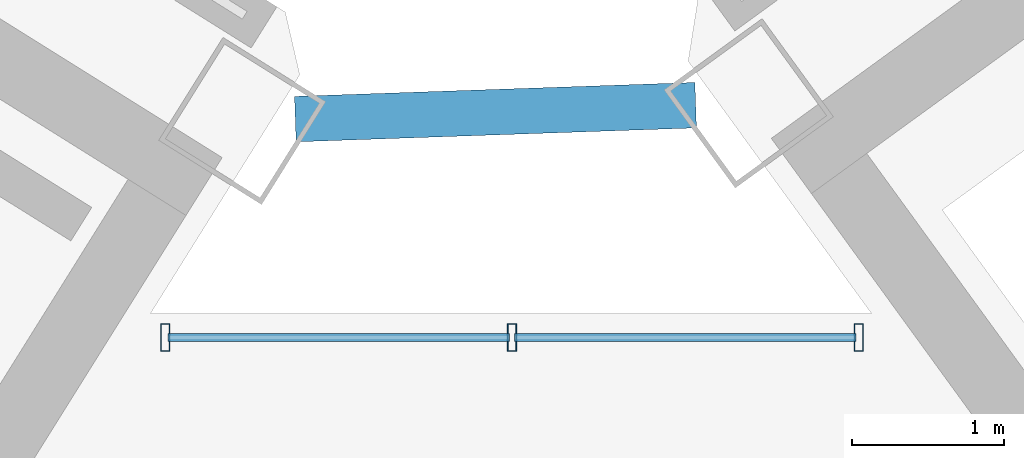
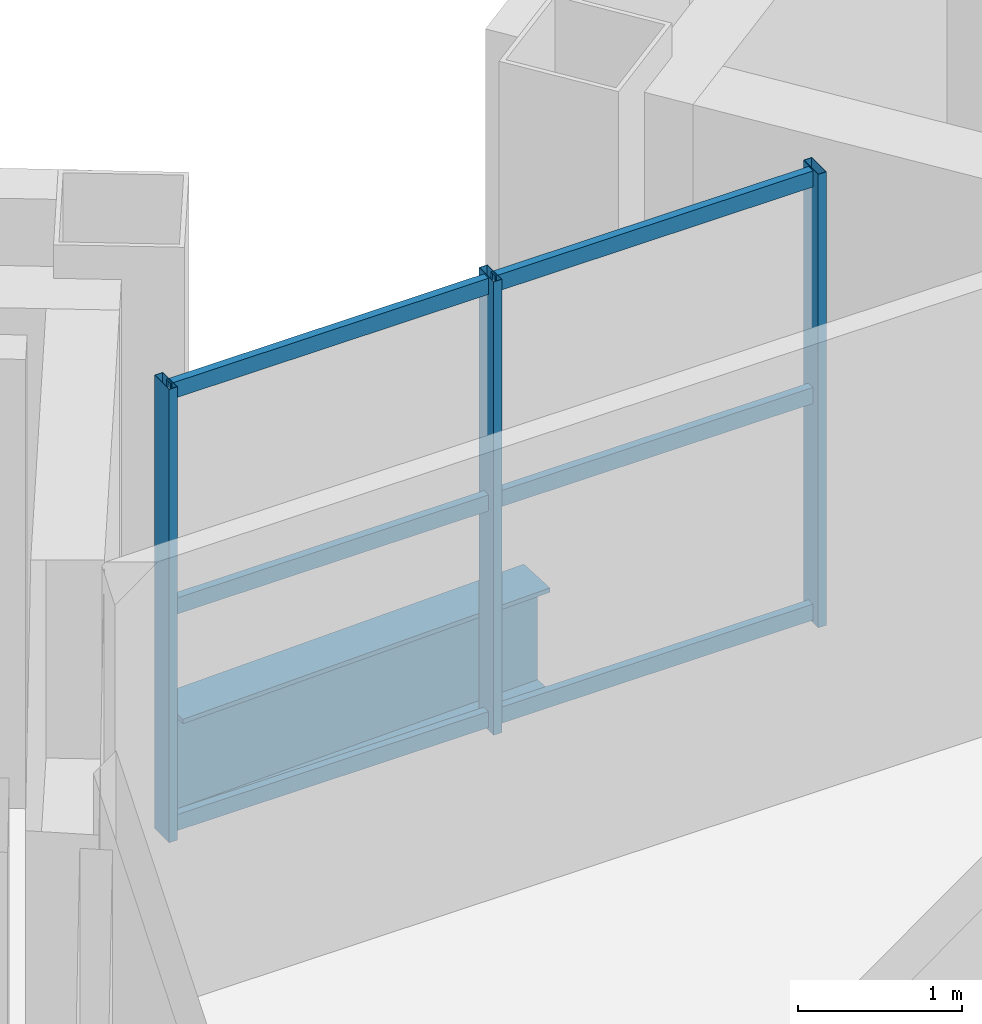
# One storey, part 12 of 29: 9 members, 1 beam, 1 element without a shape of its own.
"""IFC4 building model written with IfcOpenShell, lengths in metres."""

import ifcopenshell
import ifcopenshell.guid

model = None  # the IFC model being written
_history = None  # IfcOwnerHistory: only IFC2X3 demands one
_inside = {}  # id of a spatial element -> (the spatial element, [elements in it])
_under = {}  # id of a project, library or spatial element -> (it, [spatial elements below it])
_declared = {}  # id of a project -> (the project, [libraries it declares])
_typed = {}  # id of a type object -> (the type object, [elements of that type])
_made_of = {}  # id of a material, layer set ... -> (it, [elements and type objects made of it])


def new_model(schema):
    """Start an empty IFC model of exactly this schema.

    Asked for "IFC4X3", IfcOpenShell would pick the latest addendum, in which some entities
    have other attributes; the version numbers below select the first issue.
    IFC2X3 requires an IfcOwnerHistory on every rooted entity: one is made here for all.
    """
    global model, _history
    if schema == "IFC4X3":
        model = ifcopenshell.file(schema_version=(4, 3, 0, 0))
    else:
        model = ifcopenshell.file(schema=schema)
    _inside.clear()
    _under.clear()
    _declared.clear()
    _typed.clear()
    _made_of.clear()
    _history = None
    if model.schema == "IFC2X3":
        org = make("IfcOrganization", Name="unknown")
        user = make(
            "IfcPersonAndOrganization",
            ThePerson=make("IfcPerson", FamilyName="unknown"),
            TheOrganization=org,
        )
        app = make(
            "IfcApplication",
            ApplicationDeveloper=org,
            Version="unknown",
            ApplicationFullName="unknown",
            ApplicationIdentifier="unknown",
        )
        _history = make(
            "IfcOwnerHistory",
            OwningUser=user,
            OwningApplication=app,
            ChangeAction="ADDED",
            CreationDate=0,
        )
    return model


def make(cls, **values):
    """One entity of the class cls with the attributes given. An attribute that is None is left unset."""
    return model.create_entity(
        cls, **{name: value for name, value in values.items() if value is not None}
    )


def rooted(cls, **values):
    """An entity with a GlobalId (a new one), such as an element, a storey or a relation."""
    return make(cls, GlobalId=ifcopenshell.guid.new(), OwnerHistory=_history, **values)


def si_unit(unit_type, name, prefix=None):
    """IfcSIUnit, for example si_unit("LENGTHUNIT", "METRE", prefix="MILLI")."""
    return make("IfcSIUnit", UnitType=unit_type, Prefix=prefix, Name=name)


def assignment(units):
    """IfcUnitAssignment: the units of a project."""
    return None if units is None else make("IfcUnitAssignment", Units=units)


def point(xyz):
    """IfcCartesianPoint."""
    return None if xyz is None else make("IfcCartesianPoint", Coordinates=xyz)


def direction(xyz):
    """IfcDirection."""
    return None if xyz is None else make("IfcDirection", DirectionRatios=xyz)


def frame(location, z_axis=None, x_axis=None):
    """IfcAxis2Placement3D, a coordinate frame: its origin and axes. An axis left out is left unset."""
    return make(
        "IfcAxis2Placement3D",
        Location=point(location),
        Axis=direction(z_axis),
        RefDirection=direction(x_axis),
    )


def frame_2d(location, x_axis=None):
    """IfcAxis2Placement2D, a coordinate frame in the plane: its origin and x axis."""
    return make(
        "IfcAxis2Placement2D", Location=point(location), RefDirection=direction(x_axis)
    )


def origin():
    """The frame at (0, 0, 0) with its axes left unset."""
    return frame((0.0, 0.0, 0.0))


def origin_2d():
    """The frame at (0, 0) in the plane with its x axis left unset."""
    return frame_2d((0.0, 0.0))


def place(relative_to, where):
    """IfcLocalPlacement: puts the frame where relative to a parent placement (None: the world)."""
    return make(
        "IfcLocalPlacement", PlacementRelTo=relative_to, RelativePlacement=where
    )


def context(
    kind, dimensions, precision=None, world=None, true_north=None, identifier=None
):
    """IfcGeometricRepresentationContext, for example the 3D "Model" context."""
    return make(
        "IfcGeometricRepresentationContext",
        ContextIdentifier=identifier,
        ContextType=kind,
        CoordinateSpaceDimension=dimensions,
        Precision=precision,
        WorldCoordinateSystem=world,
        TrueNorth=true_north,
    )


def subcontext(parent, identifier, kind, view, scale=None):
    """IfcGeometricRepresentationSubContext, for example "Body" below "Model"."""
    return make(
        "IfcGeometricRepresentationSubContext",
        ContextIdentifier=identifier,
        ContextType=kind,
        ParentContext=parent,
        TargetScale=scale,
        TargetView=view,
    )


def project(units=None, contexts=None):
    """IfcProject with its units and contexts."""
    return rooted(
        "IfcProject",
        Name="project",
        RepresentationContexts=contexts,
        UnitsInContext=assignment(units),
    )


def spatial(cls, under=None, at=None, **own):
    """A site, building, storey or space (cls), placed at a placement, below another one or the project."""
    s = rooted(cls, ObjectPlacement=at, **own)
    if under is not None:
        _under.setdefault(under.id(), (under, []))[1].append(s)
    return s


def profile(cls, at=None, kind="AREA", **sizes):
    """A parametric profile (cls). Its sizes go by their IFC names, for example OverallWidth=200.0."""
    return make(cls, ProfileType=kind, Position=at, **sizes)


def hollow_rectangle(**sizes):
    """IfcRectangleHollowProfileDef."""
    return profile("IfcRectangleHollowProfileDef", **sizes)


def i_section(**sizes):
    """IfcIShapeProfileDef."""
    return profile("IfcIShapeProfileDef", **sizes)


def extrude(swept, where, along, depth):
    """IfcExtrudedAreaSolid: the profile swept, set in the frame where, extruded along a direction by depth."""
    return make(
        "IfcExtrudedAreaSolid",
        SweptArea=swept,
        Position=where,
        ExtrudedDirection=direction(along),
        Depth=depth,
    )


def shape(context_of_items, identifier, shape_type, items):
    """IfcShapeRepresentation: the items that make up one representation, for example the "Body"."""
    return make(
        "IfcShapeRepresentation",
        ContextOfItems=context_of_items,
        RepresentationIdentifier=identifier,
        RepresentationType=shape_type,
        Items=items,
    )


def source(mapping_origin, context_of_items, identifier, shape_type, items):
    """IfcRepresentationMap: a shape defined once, which mapped items show again and again."""
    return make(
        "IfcRepresentationMap",
        MappingOrigin=mapping_origin,
        MappedRepresentation=shape(context_of_items, identifier, shape_type, items),
    )


def transform(
    local_origin,
    x_axis=None,
    y_axis=None,
    z_axis=None,
    scale=None,
    scale2=None,
    scale3=None,
    uniform=True,
):
    """IfcCartesianTransformationOperator3D, or its non-uniform kind. x_axis, y_axis, z_axis: its Axis1, 2, 3."""
    if uniform:
        return make(
            "IfcCartesianTransformationOperator3D",
            Axis1=direction(x_axis),
            Axis2=direction(y_axis),
            LocalOrigin=point(local_origin),
            Scale=scale,
            Axis3=direction(z_axis),
        )
    return make(
        "IfcCartesianTransformationOperator3DnonUniform",
        Axis1=direction(x_axis),
        Axis2=direction(y_axis),
        LocalOrigin=point(local_origin),
        Scale=scale,
        Axis3=direction(z_axis),
        Scale2=scale2,
        Scale3=scale3,
    )


def mapped(mapping_source, mapping_target):
    """IfcMappedItem: shows the shape of a source again, moved by a transform."""
    return make(
        "IfcMappedItem", MappingSource=mapping_source, MappingTarget=mapping_target
    )


def material(Name=None, Category=None):
    """IfcMaterial."""
    return make("IfcMaterial", Name=Name, Category=Category)


def material_profile(
    of_material, cross_section, Name=None, Category=None, Priority=None
):
    """IfcMaterialProfile: a cross section and its material."""
    return make(
        "IfcMaterialProfile",
        Name=Name,
        Material=of_material,
        Profile=cross_section,
        Priority=Priority,
        Category=Category,
    )


def profile_set(profiles, Name=None, composite=None):
    """IfcMaterialProfileSet."""
    return make(
        "IfcMaterialProfileSet",
        Name=Name,
        MaterialProfiles=profiles,
        CompositeProfile=composite,
    )


def made_of(thing, what):
    """Note that an element or type object is made of a material, layer set ...; save() writes the relation."""
    if what is not None:
        _made_of.setdefault(what.id(), (what, []))[1].append(thing)
    return thing


def type_object(cls, material=None, **own):
    """A type object (cls), such as IfcWallType, which elements share."""
    return made_of(rooted(cls, **own), material)


def element(
    cls,
    number,
    at=None,
    inside=None,
    cuts=None,
    type_object=None,
    material=None,
    context=None,
    identifier="Body",
    shape_type=None,
    held_by="IfcProductDefinitionShape",
    body=None,
    shapes=None,
    **own,
):
    """One element of the class cls, such as IfcWall. Its Tag is "e" and its number.

    at: its placement. inside: the storey or other place that contains it. cuts: it is an
    opening in that element (IfcRelVoidsElement). A single representation is given by context,
    identifier, shape_type and body (its items); several are given by shapes. held_by: the class
    of the entity that holds the representations. save() writes the other relations.
    """
    e = rooted(cls, Tag="e%d" % number, ObjectPlacement=at, **own)
    if body is not None:
        shapes = [shape(context, identifier, shape_type, body)]
    if shapes is not None:
        e.Representation = make(held_by, Representations=shapes)
    if inside is not None:
        _inside.setdefault(inside.id(), (inside, []))[1].append(e)
    if cuts is not None:
        rooted(
            "IfcRelVoidsElement", RelatingBuildingElement=cuts, RelatedOpeningElement=e
        )
    if type_object is not None:
        _typed.setdefault(type_object.id(), (type_object, []))[1].append(e)
    return made_of(e, material)


def aggregate(whole, parts):
    """IfcRelAggregates: a whole, such as a stair, and the parts it consists of."""
    return rooted("IfcRelAggregates", RelatingObject=whole, RelatedObjects=parts)


def save(model, path):
    """Write the relations noted so far, then the file.

    IfcRelAggregates (storeys below a building ...), IfcRelContainedInSpatialStructure (elements
    in a storey), IfcRelDefinesByType, IfcRelAssociatesMaterial and IfcRelDeclares: one each for
    every whole, place, type object, material and project.
    """
    for whole, parts in _under.values():
        aggregate(whole, parts)
    for where, things in _inside.values():
        rooted(
            "IfcRelContainedInSpatialStructure",
            RelatedElements=things,
            RelatingStructure=where,
        )
    for kind, things in _typed.values():
        rooted("IfcRelDefinesByType", RelatedObjects=things, RelatingType=kind)
    for what, things in _made_of.values():
        rooted("IfcRelAssociatesMaterial", RelatedObjects=things, RelatingMaterial=what)
    for by, libraries in _declared.values():
        rooted("IfcRelDeclares", RelatingContext=by, RelatedDefinitions=libraries)
    model.write(path)


model = new_model("IFC4")

# Units and contexts
model_context = context("Model", 3, precision=1e-05, world=origin(), true_north=direction((0.0, 1.0)))
body_context = subcontext(model_context, "Body", "Model", "MODEL_VIEW")
ifc_project = project(units=[si_unit("LENGTHUNIT", "METRE"), si_unit("AREAUNIT", "SQUARE_METRE"), si_unit("VOLUMEUNIT", "CUBIC_METRE"), si_unit("PLANEANGLEUNIT", "RADIAN"), si_unit("MASSUNIT", "GRAM", prefix="KILO")], contexts=[model_context])

# Site, building, storey
site_placement = place(None, origin())
site = spatial("IfcSite", under=ifc_project, at=site_placement, CompositionType="ELEMENT")
building_placement = place(site_placement, origin())
building = spatial("IfcBuilding", under=site, at=building_placement, Name="Tlacorven Tower", CompositionType="ELEMENT")
storey_placement = place(building_placement, frame((0.0, 0.0, 238.5)))
storey = spatial("IfcBuildingStorey", under=building, at=storey_placement, Name="L60", CompositionType="ELEMENT", Elevation=238.5)

# Beam
ifc_material_1 = material(Name="Steel S355J2", Category="steel")
ifc_material_profile_1 = material_profile(ifc_material_1, i_section(OverallWidth=0.300048828125, OverallDepth=0.800048828125, WebThickness=0.017578125, FlangeThickness=0.032958984375, at=origin_2d()), Name="HEB 800")
ifc_profile_set_1 = profile_set([ifc_material_profile_1], Name="Steel S355J2")
beam_type = type_object("IfcBeamType", Name="BM-POD-800", PredefinedType="BEAM", material=ifc_profile_set_1)
shared_shape_1 = source(origin(), body_context, "Body", "SweptSolid", [
    extrude(i_section(OverallWidth=0.300048828125, OverallDepth=0.800048828125, WebThickness=0.017578125, FlangeThickness=0.032958984375, at=origin_2d()), origin(), (0.0, 0.0, 1.0), 2.642822265625),
])
beam_placement = place(storey_placement, frame((41.1328125, 24.480712890625, -0.64990234375), z_axis=(0.999393314814, 0.034828182629, 0.0), x_axis=(-0.034828182629, 0.999393314814, 0.0)))
element("IfcBeam", 1, at=beam_placement, inside=storey, type_object=beam_type, Name="L60 Knuckle Link Girder 1", PredefinedType="BEAM", context=body_context, shape_type="MappedRepresentation", body=[
    mapped(shared_shape_1, transform((0.0, 0.0, 0.0), scale=1.0)),
])

# Curtain wall, members
ifc_material_2 = material(Name="Dark solar low-E double glazing in aluminium frame", Category="aluminium")
curtain_wall_type = type_object("IfcCurtainWallType", Name="CW-TWR-HIGH", PredefinedType="USERDEFINED", material=ifc_material_2)
curtain_wall_placement = place(storey_placement, origin())
curtain_wall = element("IfcCurtainWall", 2, at=curtain_wall_placement, inside=storey, type_object=curtain_wall_type, Name="L60 CW-TWR-HIGH Curtain Wall 277", ObjectType="UNITISED CURTAIN WALL", PredefinedType="USERDEFINED")
ifc_material_3 = material(Name="Aluminium 6063-T6 anodised", Category="aluminium")
ifc_material_profile_2 = material_profile(ifc_material_3, hollow_rectangle(XDim=0.06005859375, YDim=0.179931640625, WallThickness=0.00390625, at=origin_2d()), Name="ALU MULLION 60X180")
ifc_profile_set_2 = profile_set([ifc_material_profile_2], Name="Aluminium 6063-T6 anodised")
member_type_1 = type_object("IfcMemberType", Name="CWM-03", PredefinedType="MULLION", material=ifc_profile_set_2)
shared_shape_2 = source(origin(), body_context, "Body", "SweptSolid", [
    extrude(hollow_rectangle(XDim=0.06005859375, YDim=0.179931640625, WallThickness=0.00390625, at=origin_2d()), origin(), (0.0, 0.0, 1.0), 3.380126953125),
])
member_1_placement = place(storey_placement, frame((40.27392578125, 23.0400390625, -0.02001953125), z_axis=(0.0, 0.0, 1.0), x_axis=(1.0, 0.0, 0.0)))
member_1 = element("IfcMember", 3, at=member_1_placement, type_object=member_type_1, Name="CW-L60-277 Mullion 1", PredefinedType="MULLION", context=body_context, shape_type="MappedRepresentation", body=[
    mapped(shared_shape_2, transform((0.0, 0.0, 0.0), scale=1.0)),
])
member_2_placement = place(storey_placement, frame((42.562255859375, 23.0400390625, -0.02001953125), z_axis=(0.0, 0.0, 1.0), x_axis=(1.0, 0.0, 0.0)))
member_2 = element("IfcMember", 4, at=member_2_placement, type_object=member_type_1, Name="CW-L60-277 Mullion 2", PredefinedType="MULLION", context=body_context, shape_type="MappedRepresentation", body=[
    mapped(shared_shape_2, transform((0.0, 0.0, 0.0), scale=1.0)),
])
member_3_placement = place(storey_placement, frame((44.8505859375, 23.0400390625, -0.02001953125), z_axis=(0.0, 0.0, 1.0), x_axis=(1.0, 0.0, 0.0)))
member_3 = element("IfcMember", 5, at=member_3_placement, type_object=member_type_1, Name="CW-L60-277 Mullion 3", PredefinedType="MULLION", context=body_context, shape_type="MappedRepresentation", body=[
    mapped(shared_shape_2, transform((0.0, 0.0, 0.0), scale=1.0)),
])
ifc_material_profile_3 = material_profile(ifc_material_3, hollow_rectangle(XDim=0.054931640625, YDim=0.1201171875, WallThickness=0.00341796875, at=origin_2d()), Name="ALU TRANSOM 55X120")
ifc_profile_set_3 = profile_set([ifc_material_profile_3], Name="Aluminium 6063-T6 anodised")
member_type_2 = type_object("IfcMemberType", Name="CWT-03", PredefinedType="USERDEFINED", material=ifc_profile_set_3)
shared_shape_3 = source(origin(), body_context, "Body", "SweptSolid", [
    extrude(hollow_rectangle(XDim=0.054931640625, YDim=0.1201171875, WallThickness=0.00341796875, at=origin_2d()), origin(), (0.0, 0.0, 1.0), 2.252197265625),
])
member_4_placement = place(storey_placement, frame((40.2919921875, 23.0400390625, 0.06005859375), z_axis=(1.0, 0.0, 0.0), x_axis=(0.0, 1.0, 0.0)))
member_4 = element("IfcMember", 6, at=member_4_placement, type_object=member_type_2, Name="CW-L60-277 Transom 1", ObjectType="TRANSOM", PredefinedType="USERDEFINED", context=body_context, shape_type="MappedRepresentation", body=[
    mapped(shared_shape_3, transform((0.0, 0.0, 0.0), scale=1.0)),
])
member_5_placement = place(storey_placement, frame((40.2919921875, 23.0400390625, 1.675048828125), z_axis=(1.0, 0.0, 0.0), x_axis=(0.0, 1.0, 0.0)))
member_5 = element("IfcMember", 7, at=member_5_placement, type_object=member_type_2, Name="CW-L60-277 Transom 2", ObjectType="TRANSOM", PredefinedType="USERDEFINED", context=body_context, shape_type="MappedRepresentation", body=[
    mapped(shared_shape_3, transform((0.0, 0.0, 0.0), scale=1.0)),
])
member_6_placement = place(storey_placement, frame((40.2919921875, 23.0400390625, 3.2900390625), z_axis=(1.0, 0.0, 0.0), x_axis=(0.0, 1.0, 0.0)))
member_6 = element("IfcMember", 8, at=member_6_placement, type_object=member_type_2, Name="CW-L60-277 Transom 3", ObjectType="TRANSOM", PredefinedType="USERDEFINED", context=body_context, shape_type="MappedRepresentation", body=[
    mapped(shared_shape_3, transform((0.0, 0.0, 0.0), scale=1.0)),
])
member_7_placement = place(storey_placement, frame((42.580322265625, 23.0400390625, 0.06005859375), z_axis=(1.0, 0.0, 0.0), x_axis=(0.0, 1.0, 0.0)))
member_7 = element("IfcMember", 9, at=member_7_placement, type_object=member_type_2, Name="CW-L60-277 Transom 4", ObjectType="TRANSOM", PredefinedType="USERDEFINED", context=body_context, shape_type="MappedRepresentation", body=[
    mapped(shared_shape_3, transform((0.0, 0.0, 0.0), scale=1.0)),
])
member_8_placement = place(storey_placement, frame((42.580322265625, 23.0400390625, 1.675048828125), z_axis=(1.0, 0.0, 0.0), x_axis=(0.0, 1.0, 0.0)))
member_8 = element("IfcMember", 10, at=member_8_placement, type_object=member_type_2, Name="CW-L60-277 Transom 5", ObjectType="TRANSOM", PredefinedType="USERDEFINED", context=body_context, shape_type="MappedRepresentation", body=[
    mapped(shared_shape_3, transform((0.0, 0.0, 0.0), scale=1.0)),
])
member_9_placement = place(storey_placement, frame((42.580322265625, 23.0400390625, 3.2900390625), z_axis=(1.0, 0.0, 0.0), x_axis=(0.0, 1.0, 0.0)))
member_9 = element("IfcMember", 11, at=member_9_placement, type_object=member_type_2, Name="CW-L60-277 Transom 6", ObjectType="TRANSOM", PredefinedType="USERDEFINED", context=body_context, shape_type="MappedRepresentation", body=[
    mapped(shared_shape_3, transform((0.0, 0.0, 0.0), scale=1.0)),
])
aggregate(curtain_wall, [member_1, member_2, member_3, member_4, member_5, member_6, member_7, member_8, member_9])

save(model, "model.ifc")
